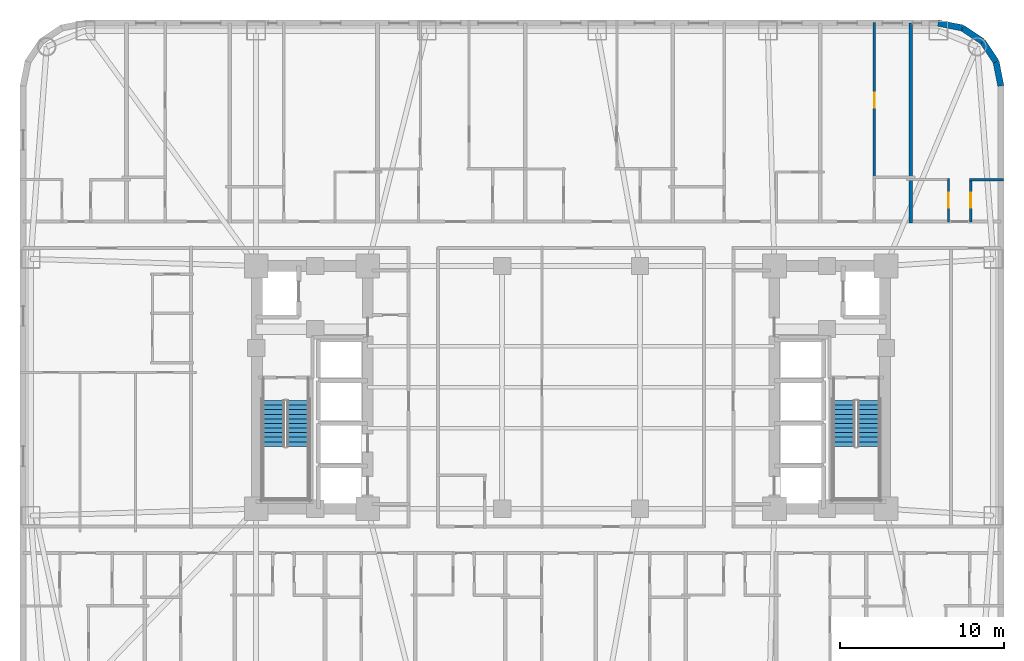
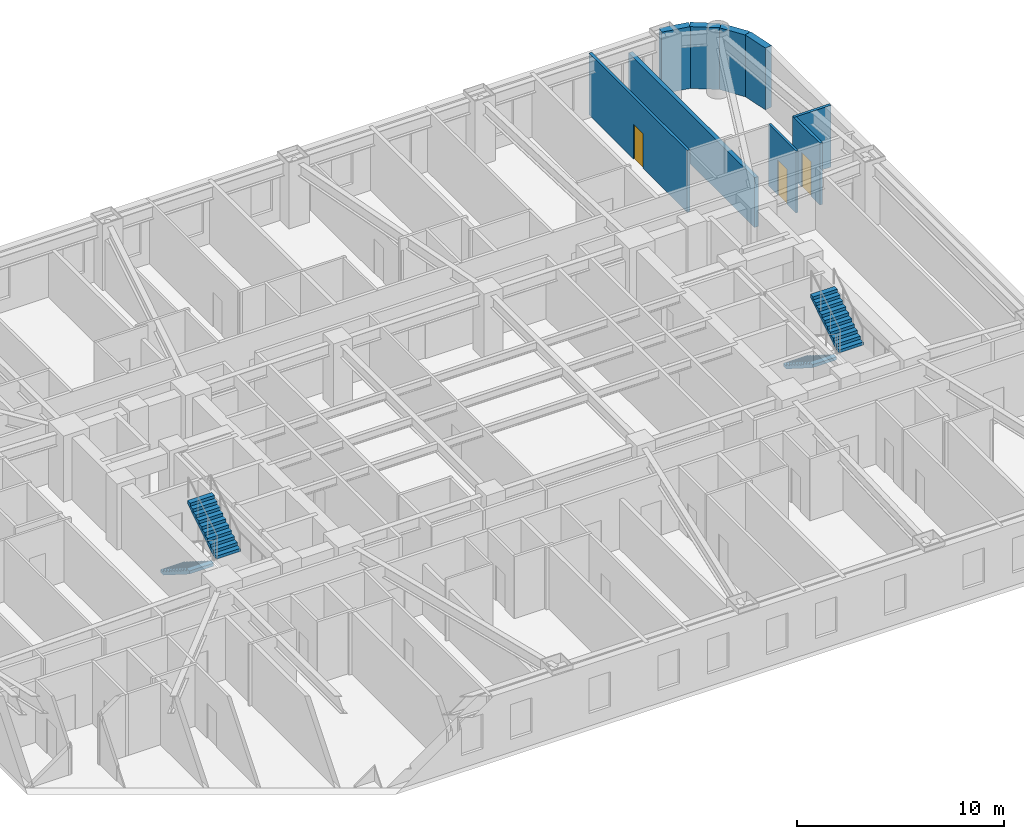
# One storey, part 9 of 11: 9 walls, 4 stair flights, 3 doors, 3 openings, 2 elements without a shape of their own.
"""IFC4 building model written with IfcOpenShell, lengths in metres."""

from ifc_helpers import new_model, si_unit, direction, frame, frame_2d, origin, place, context, subcontext, project, spatial, polyline, rectangle, outline, extrude, material, layer, layer_set, type_object, element, fill, aggregate, save


model = new_model("IFC4")

# Units and contexts
model_context = context("Model", 3, precision=1e-05, world=origin(), true_north=direction((0.0, 1.0)))
body_context = subcontext(model_context, "Body", "Model", "MODEL_VIEW")
ifc_project = project(units=[si_unit("LENGTHUNIT", "METRE"), si_unit("AREAUNIT", "SQUARE_METRE"), si_unit("VOLUMEUNIT", "CUBIC_METRE"), si_unit("PLANEANGLEUNIT", "RADIAN"), si_unit("MASSUNIT", "GRAM", prefix="KILO")], contexts=[model_context])

# Site, building, storey
site_placement = place(None, origin())
site = spatial("IfcSite", under=ifc_project, at=site_placement, CompositionType="ELEMENT")
building_placement = place(site_placement, origin())
building = spatial("IfcBuilding", under=site, at=building_placement, Name="Voryun Gate Residences", CompositionType="ELEMENT")
storey_placement = place(building_placement, frame((0.0, 0.0, 33.800048828125)))
storey = spatial("IfcBuildingStorey", under=building, at=storey_placement, Name="L07", CompositionType="ELEMENT", Elevation=33.800048828125)

# Walls
ifc_material_1 = material(Name="Granite masonry", Category="masonry")
ifc_layer_1 = layer(ifc_material_1, 0.3798828125, Name="W_EXT_GRANITE_380")
ifc_layer_set_1 = layer_set([ifc_layer_1], Name="Granite masonry")
wall_type_1 = type_object("IfcWallType", Name="W_EXT_GRANITE_380", PredefinedType="ELEMENTEDWALL", material=ifc_layer_set_1)
wall_1_placement = place(storey_placement, frame((22.38134765625, 22.2099609375, 0.0), z_axis=(0.0, 0.0, 1.0), x_axis=(0.980786132421, -0.195086038585, 0.0)))
element("IfcWall", 1, at=wall_1_placement, inside=storey, type_object=wall_type_1, Name="Exterior wall WEXT-L07-12", PredefinedType="ELEMENTEDWALL", context=body_context, shape_type="SweptSolid", body=[
    extrude(rectangle(XDim=1.504150390625, YDim=0.3798828125, at=frame_2d((0.751953125, 0.0))), origin(), (0.0, 0.0, 1.0), 3.64990234375),
])
for number, where, z_axis, x_axis, name in (
    (2, (23.856689453125, 21.91650390625, 0.0), (0.0, 0.0, 1.0), (0.831392092774, -0.555686231674, 0.0), "Exterior wall WEXT-L07-13"),
    (3, (25.09130859375, 21.09130859375, 0.0), (0.0, 0.0, 1.0), (0.555686231674, -0.831392092774, 0.0), "Exterior wall WEXT-L07-14"),
):
    element("IfcWall", number, at=place(storey_placement, frame(where, z_axis=z_axis, x_axis=x_axis)), inside=storey, type_object=wall_type_1, Name=name, PredefinedType="ELEMENTEDWALL", context=body_context, shape_type="SweptSolid", body=[
        extrude(rectangle(XDim=1.485107421875, YDim=0.3798828125, at=frame_2d((0.74267578125, 0.0))), origin(), (0.0, 0.0, 1.0), 3.64990234375),
    ])
wall_2_placement = place(storey_placement, frame((25.91650390625, 19.856689453125, 0.0), z_axis=(0.0, 0.0, 1.0), x_axis=(0.195086038585, -0.980786132421, 0.0)))
element("IfcWall", 4, at=wall_2_placement, inside=storey, type_object=wall_type_1, Name="Exterior wall WEXT-L07-15", PredefinedType="ELEMENTEDWALL", context=body_context, shape_type="SweptSolid", body=[
    extrude(rectangle(XDim=1.504150390625, YDim=0.3798828125, at=frame_2d((0.751953125, 0.0))), origin(), (0.0, 0.0, 1.0), 3.64990234375),
])
ifc_material_2 = material(Name="Concrete C40/50", Category="concrete")
ifc_layer_2 = layer(ifc_material_2, 0.219970703125, Name="W_PARTY_ACOUSTIC_220")
ifc_layer_set_2 = layer_set([ifc_layer_2], Name="Concrete C40/50")
wall_type_2 = type_object("IfcWallType", Name="W_PARTY_ACOUSTIC_220", PredefinedType="PARTITIONING", material=ifc_layer_set_2)
wall_3_placement = place(storey_placement, frame((20.708984375, 10.02001953125, 0.0), z_axis=(0.0, 0.0, 1.0), x_axis=(0.0, 1.0, 0.0)))
element("IfcWall", 5, at=wall_3_placement, inside=storey, type_object=wall_type_2, Name="Partition wall WP-L07-NPTY-7", PredefinedType="PARTITIONING", context=body_context, shape_type="SweptSolid", body=[
    extrude(rectangle(XDim=12.18994140625, YDim=0.219970703125, at=frame_2d((6.094970703125, 0.0))), origin(), (0.0, 0.0, 1.0), 2.93994140625),
])

# Wall, opening, door
ifc_material_3 = material(Name="Gypsum acoustic partition")
ifc_layer_3 = layer(ifc_material_3, 0.125, Name="W_UNIT_PART_125")
ifc_layer_set_3 = layer_set([ifc_layer_3], Name="Gypsum acoustic partition")
wall_type_3 = type_object("IfcWallType", Name="W_UNIT_PART_125", PredefinedType="PARTITIONING", material=ifc_layer_set_3)
wall_4_placement = place(storey_placement, frame((23.01904296875, 10.080078125, 0.0), z_axis=(0.0, 0.0, 1.0), x_axis=(0.0, 1.0, 0.0)))
wall_4 = element("IfcWall", 6, at=wall_4_placement, inside=storey, type_object=wall_type_3, Name="Partition wall WP-L07-N8-CVK", PredefinedType="PARTITIONING", context=body_context, shape_type="SweptSolid", body=[
    extrude(rectangle(XDim=2.64990234375, YDim=0.125, at=frame_2d((1.324951171875, 0.0))), origin(), (0.0, 0.0, 1.0), 3.64990234375),
])
opening_1_placement = place(wall_4_placement, frame((0.875, 0.0, 0.0)))
opening_1 = element("IfcOpeningElement", 7, at=opening_1_placement, cuts=wall_4, Name="Opening D-INT-2", PredefinedType="OPENING", context=body_context, shape_type="SweptSolid", body=[
    extrude(rectangle(XDim=0.89990234375, YDim=2.050048828125, at=frame_2d((0.449951171875, 1.02490234375))), frame((0.0, 0.072509765625, 0.0), z_axis=(0.0, -1.0, 0.0), x_axis=(1.0, 0.0, 0.0)), (0.0, 0.0, 1.0), 0.14501953125),
])
ifc_material_4 = material(Name="Architectural oak veneer")
door_type = type_object("IfcDoorType", Name="DR_INT_BATH_900", OperationType="NOTDEFINED", PredefinedType="DOOR", material=ifc_material_4)
door_1_placement = place(opening_1_placement, origin())
door_1 = element("IfcDoor", 8, at=door_1_placement, inside=storey, type_object=door_type, Name="Door DR-L07-N8-DK", OperationType="SINGLE_SWING_LEFT", OverallHeight=2.050048828125, OverallWidth=0.89990234375, PredefinedType="DOOR", context=body_context, shape_type="SweptSolid", body=[
    extrude(rectangle(XDim=0.89990234375, YDim=2.050048828125, at=frame_2d((0.449951171875, 1.02490234375))), frame((0.0, 0.02490234375, 0.0), z_axis=(0.0, -1.0, 0.0), x_axis=(1.0, 0.0, 0.0)), (0.0, 0.0, 1.0), 0.050048828125),
])
fill(opening_1, door_1)

ifc_material_5 = material(Name="Gypsum moisture-resistant partition")
ifc_layer_4 = layer(ifc_material_5, 0.14990234375, Name="W_WET_PLUMB_150")
ifc_layer_set_4 = layer_set([ifc_layer_4], Name="Gypsum moisture-resistant partition")
wall_type_4 = type_object("IfcWallType", Name="W_WET_PLUMB_150", PredefinedType="PLUMBINGWALL", material=ifc_layer_set_4)
wall_5_placement = place(storey_placement, frame((18.4990234375, 12.760009765625, 0.0), z_axis=(0.0, 0.0, 1.0), x_axis=(0.0, 1.0, 0.0)))
wall_5 = element("IfcWall", 9, at=wall_5_placement, inside=storey, type_object=wall_type_4, Name="Partition wall WP-L07-N7-SVT2", PredefinedType="PLUMBINGWALL", context=body_context, shape_type="SweptSolid", body=[
    extrude(rectangle(XDim=9.49755859375, YDim=0.14990234375, at=frame_2d((4.748779296875, 0.0))), origin(), (0.0, 0.0, 1.0), 3.64990234375),
])
opening_2_placement = place(wall_5_placement, frame((4.298828125, 0.0, 0.0)))
opening_2 = element("IfcOpeningElement", 10, at=opening_2_placement, cuts=wall_5, Name="Opening D-INT-2", PredefinedType="OPENING", context=body_context, shape_type="SweptSolid", body=[
    extrude(rectangle(XDim=0.89990234375, YDim=2.050048828125, at=frame_2d((0.449951171875, 1.02490234375))), frame((0.0, 0.0849609375, 0.0), z_axis=(0.0, -1.0, 0.0), x_axis=(1.0, 0.0, 0.0)), (0.0, 0.0, 1.0), 0.169921875),
])
door_2_placement = place(opening_2_placement, origin())
door_2 = element("IfcDoor", 11, at=door_2_placement, inside=storey, type_object=door_type, Name="Door DR-L07-N7-DK", OperationType="SINGLE_SWING_RIGHT", OverallHeight=2.050048828125, OverallWidth=0.89990234375, PredefinedType="DOOR", context=body_context, shape_type="SweptSolid", body=[
    extrude(rectangle(XDim=0.89990234375, YDim=2.050048828125, at=frame_2d((0.449951171875, 1.02490234375))), frame((0.0, 0.02490234375, 0.0), z_axis=(0.0, -1.0, 0.0), x_axis=(1.0, 0.0, 0.0)), (0.0, 0.0, 1.0), 0.050048828125),
])
fill(opening_2, door_2)

wall_6_placement = place(storey_placement, frame((24.364990234375, 10.080078125, 0.0), z_axis=(0.0, 0.0, 1.0), x_axis=(0.0, 1.0, 0.0)))
wall_6 = element("IfcWall", 12, at=wall_6_placement, inside=storey, type_object=wall_type_4, Name="Partition wall WP-L07-N8-CVB", PredefinedType="PLUMBINGWALL", context=body_context, shape_type="SweptSolid", body=[
    extrude(rectangle(XDim=2.64990234375, YDim=0.14990234375, at=frame_2d((1.324951171875, 0.0))), origin(), (0.0, 0.0, 1.0), 3.64990234375),
])
opening_3_placement = place(wall_6_placement, frame((0.875, 0.0, 0.0)))
opening_3 = element("IfcOpeningElement", 13, at=opening_3_placement, cuts=wall_6, Name="Opening D-INT-2", PredefinedType="OPENING", context=body_context, shape_type="SweptSolid", body=[
    extrude(rectangle(XDim=0.89990234375, YDim=2.050048828125, at=frame_2d((0.449951171875, 1.02490234375))), frame((0.0, 0.0849609375, 0.0), z_axis=(0.0, -1.0, 0.0), x_axis=(1.0, 0.0, 0.0)), (0.0, 0.0, 1.0), 0.169921875),
])
door_3_placement = place(opening_3_placement, origin())
door_3 = element("IfcDoor", 14, at=door_3_placement, inside=storey, type_object=door_type, Name="Door DR-L07-N8-DB", OperationType="SINGLE_SWING_RIGHT", OverallHeight=2.050048828125, OverallWidth=0.89990234375, PredefinedType="DOOR", context=body_context, shape_type="SweptSolid", body=[
    extrude(rectangle(XDim=0.89990234375, YDim=2.050048828125, at=frame_2d((0.449951171875, 1.02490234375))), frame((0.0, 0.02490234375, 0.0), z_axis=(0.0, -1.0, 0.0), x_axis=(1.0, 0.0, 0.0)), (0.0, 0.0, 1.0), 0.050048828125),
])
fill(opening_3, door_3)

# Wall
wall_7_placement = place(storey_placement, frame((24.304931640625, 12.669921875, 0.0), z_axis=(0.0, 0.0, 1.0), x_axis=(1.0, 0.0, 0.0)))
element("IfcWall", 15, at=wall_7_placement, inside=storey, type_object=wall_type_4, Name="Partition wall WP-L07-N8-CHB", PredefinedType="PLUMBINGWALL", context=body_context, shape_type="SweptSolid", body=[
    extrude(rectangle(XDim=2.05517578125, YDim=0.14990234375, at=frame_2d((1.027587890625, 0.0))), origin(), (0.0, 0.0, 1.0), 3.64990234375),
])

# Stair, stair flights
ifc_material_6 = material(Name="Concrete C40/50", Category="concrete")
stair_type = type_object("IfcStairType", Name="STR_CORE_DOGLEG_1350", PredefinedType="HALF_TURN_STAIR", material=ifc_material_6)
stair_1_placement = place(storey_placement, origin())
stair_1 = element("IfcStair", 16, at=stair_1_placement, inside=storey, type_object=stair_type, Name="L07 Special Escape Stair ST-W1", PredefinedType="HALF_TURN_STAIR")
ifc_material_7 = material(Name="Concrete C40/50", Category="concrete")
stair_flight_type = type_object("IfcStairFlightType", Name="FLT_CORE_1350", PredefinedType="STRAIGHT", material=ifc_material_7)
stair_flight_1_placement = place(storey_placement, frame((-18.14990234375, -0.800048828125, 0.0), z_axis=(0.0, 0.0, 1.0), x_axis=(0.0, -1.0, 0.0)))
stair_flight_1 = element("IfcStairFlight", 17, at=stair_flight_1_placement, type_object=stair_flight_type, Name="ST-W1 flight 1", NumberOfRisers=11, NumberOfTreads=10, PredefinedType="STRAIGHT", RiserHeight=0.177272727, TreadLength=0.28, context=body_context, shape_type="SweptSolid", body=[
    extrude(outline(polyline([(0.0, 0.0), (0.0, 0.17724609375), (0.280029296875, 0.17724609375), (0.280029296875, 0.3544921875), (0.56005859375, 0.3544921875), (0.56005859375, 0.53173828125), (0.840087890625, 0.53173828125), (0.840087890625, 0.708984375), (1.1201171875, 0.708984375), (1.1201171875, 0.886474609375), (1.39990234375, 0.886474609375), (1.39990234375, 1.063720703125), (1.679931640625, 1.063720703125), (1.679931640625, 1.240966796875), (1.9599609375, 1.240966796875), (1.9599609375, 1.418212890625), (2.239990234375, 1.418212890625), (2.239990234375, 1.595458984375), (2.52001953125, 1.595458984375), (2.52001953125, 1.772705078125), (2.800048828125, 1.772705078125), (2.800048828125, 1.949951171875), (2.800048828125, 1.59521484375), (0.2802734375, 0.0), (0.0, 0.0)])), frame((0.0, 0.675048828125, 0.0), z_axis=(0.0, -1.0, 0.0), x_axis=(1.0, 0.0, 0.0)), (0.0, 0.0, 1.0), 1.35009765625),
])
stair_flight_2_placement = place(storey_placement, frame((-16.64990234375, -3.60009765625, 1.949951171875), z_axis=(0.0, 0.0, 1.0), x_axis=(0.0, 1.0, 0.0)))
stair_flight_2 = element("IfcStairFlight", 18, at=stair_flight_2_placement, type_object=stair_flight_type, Name="ST-W1 flight 2", NumberOfRisers=11, NumberOfTreads=10, PredefinedType="STRAIGHT", RiserHeight=0.177272727, TreadLength=0.28, context=body_context, shape_type="SweptSolid", body=[
    extrude(outline(polyline([(0.0, 0.0), (0.0, 0.17724609375), (0.280029296875, 0.17724609375), (0.280029296875, 0.3544921875), (0.56005859375, 0.3544921875), (0.56005859375, 0.53173828125), (0.840087890625, 0.53173828125), (0.840087890625, 0.708984375), (1.1201171875, 0.708984375), (1.1201171875, 0.886474609375), (1.39990234375, 0.886474609375), (1.39990234375, 1.063720703125), (1.679931640625, 1.063720703125), (1.679931640625, 1.240966796875), (1.9599609375, 1.240966796875), (1.9599609375, 1.418212890625), (2.239990234375, 1.418212890625), (2.239990234375, 1.595458984375), (2.52001953125, 1.595458984375), (2.52001953125, 1.772705078125), (2.800048828125, 1.772705078125), (2.800048828125, 1.949951171875), (2.800048828125, 1.59521484375), (0.2802734375, 0.0), (0.0, 0.0)])), frame((0.0, 0.675048828125, 0.0), z_axis=(0.0, -1.0, 0.0), x_axis=(1.0, 0.0, 0.0)), (0.0, 0.0, 1.0), 1.35009765625),
])
aggregate(stair_1, [stair_flight_1, stair_flight_2])

stair_2_placement = place(storey_placement, origin())
stair_2 = element("IfcStair", 19, at=stair_2_placement, inside=storey, type_object=stair_type, Name="L07 Special Escape Stair ST-E1", PredefinedType="HALF_TURN_STAIR")
stair_flight_3_placement = place(storey_placement, frame((16.64990234375, -0.800048828125, 0.0), z_axis=(0.0, 0.0, 1.0), x_axis=(0.0, -1.0, 0.0)))
stair_flight_3 = element("IfcStairFlight", 20, at=stair_flight_3_placement, type_object=stair_flight_type, Name="ST-E1 flight 1", NumberOfRisers=11, NumberOfTreads=10, PredefinedType="STRAIGHT", RiserHeight=0.177272727, TreadLength=0.28, context=body_context, shape_type="SweptSolid", body=[
    extrude(outline(polyline([(0.0, 0.0), (0.0, 0.17724609375), (0.280029296875, 0.17724609375), (0.280029296875, 0.3544921875), (0.56005859375, 0.3544921875), (0.56005859375, 0.53173828125), (0.840087890625, 0.53173828125), (0.840087890625, 0.708984375), (1.1201171875, 0.708984375), (1.1201171875, 0.886474609375), (1.39990234375, 0.886474609375), (1.39990234375, 1.063720703125), (1.679931640625, 1.063720703125), (1.679931640625, 1.240966796875), (1.9599609375, 1.240966796875), (1.9599609375, 1.418212890625), (2.239990234375, 1.418212890625), (2.239990234375, 1.595458984375), (2.52001953125, 1.595458984375), (2.52001953125, 1.772705078125), (2.800048828125, 1.772705078125), (2.800048828125, 1.949951171875), (2.800048828125, 1.59521484375), (0.2802734375, 0.0), (0.0, 0.0)])), frame((0.0, 0.675048828125, 0.0), z_axis=(0.0, -1.0, 0.0), x_axis=(1.0, 0.0, 0.0)), (0.0, 0.0, 1.0), 1.35009765625),
])
stair_flight_4_placement = place(storey_placement, frame((18.14990234375, -3.60009765625, 1.949951171875), z_axis=(0.0, 0.0, 1.0), x_axis=(0.0, 1.0, 0.0)))
stair_flight_4 = element("IfcStairFlight", 21, at=stair_flight_4_placement, type_object=stair_flight_type, Name="ST-E1 flight 2", NumberOfRisers=11, NumberOfTreads=10, PredefinedType="STRAIGHT", RiserHeight=0.177272727, TreadLength=0.28, context=body_context, shape_type="SweptSolid", body=[
    extrude(outline(polyline([(0.0, 0.0), (0.0, 0.17724609375), (0.280029296875, 0.17724609375), (0.280029296875, 0.3544921875), (0.56005859375, 0.3544921875), (0.56005859375, 0.53173828125), (0.840087890625, 0.53173828125), (0.840087890625, 0.708984375), (1.1201171875, 0.708984375), (1.1201171875, 0.886474609375), (1.39990234375, 0.886474609375), (1.39990234375, 1.063720703125), (1.679931640625, 1.063720703125), (1.679931640625, 1.240966796875), (1.9599609375, 1.240966796875), (1.9599609375, 1.418212890625), (2.239990234375, 1.418212890625), (2.239990234375, 1.595458984375), (2.52001953125, 1.595458984375), (2.52001953125, 1.772705078125), (2.800048828125, 1.772705078125), (2.800048828125, 1.949951171875), (2.800048828125, 1.59521484375), (0.2802734375, 0.0), (0.0, 0.0)])), frame((0.0, 0.675048828125, 0.0), z_axis=(0.0, -1.0, 0.0), x_axis=(1.0, 0.0, 0.0)), (0.0, 0.0, 1.0), 1.35009765625),
])
aggregate(stair_2, [stair_flight_3, stair_flight_4])

save(model, "model.ifc")
